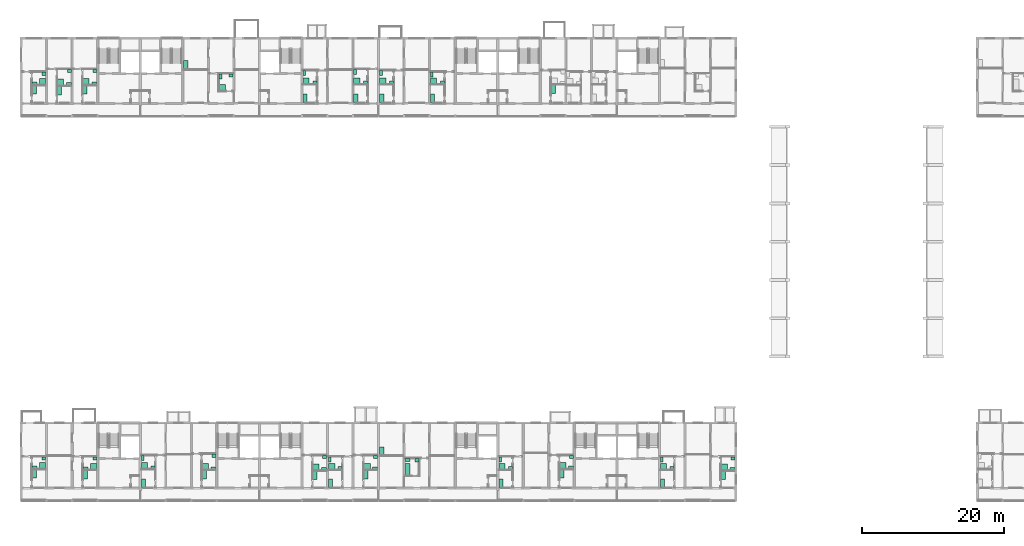
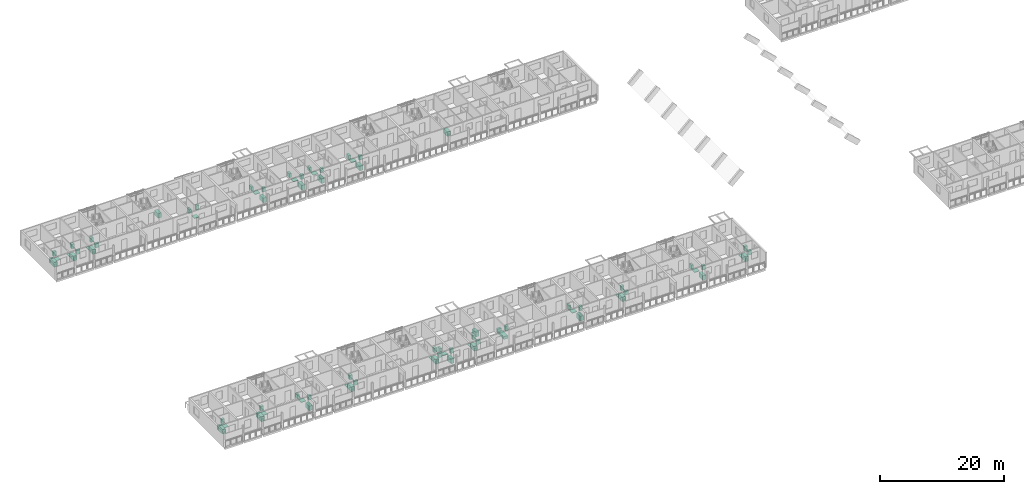
# One storey, part 96 of 98: 81 sanitary terminals.
"""IFC4 building model written with IfcOpenShell, lengths in metres."""

from ifc_helpers import new_model, si_unit, direction, frame, origin, origin_2d, place, context, subcontext, project, spatial, rectangle, extrude, element, save


model = new_model("IFC4")

# Units and contexts
model_context = context("Model", 3, precision=1e-05, world=origin(), true_north=direction((0.0, 1.0)))
body_context = subcontext(model_context, "Body", "Model", "MODEL_VIEW")
ifc_project = project(units=[si_unit("LENGTHUNIT", "METRE"), si_unit("AREAUNIT", "SQUARE_METRE"), si_unit("VOLUMEUNIT", "CUBIC_METRE"), si_unit("PLANEANGLEUNIT", "RADIAN"), si_unit("MASSUNIT", "GRAM", prefix="KILO")], contexts=[model_context])

# Site, building, storey
site_placement = place(None, origin())
site = spatial("IfcSite", under=ifc_project, at=site_placement, CompositionType="ELEMENT")
building_placement = place(site_placement, origin())
building = spatial("IfcBuilding", under=site, at=building_placement, Name="Ridgestep Commons", CompositionType="ELEMENT")
storey_placement = place(building_placement, frame((0.0, 0.0, 12.0)))
storey = spatial("IfcBuildingStorey", under=building, at=storey_placement, Name="L04", CompositionType="ELEMENT", Elevation=12.0)

# Sanitary terminals
sanitary_terminal_1_placement = place(storey_placement, frame((15.02490234375, 16.81005859375, 0.0), z_axis=(0.0, 0.0, 1.0), x_axis=(1.0, 0.0, 0.0)))
element("IfcSanitaryTerminal", 1, at=sanitary_terminal_1_placement, inside=storey, Name="Shower tray A1-04a", PredefinedType="SHOWER", context=body_context, shape_type="SweptSolid", body=[
    extrude(rectangle(XDim=0.89990234375, YDim=0.89990234375, at=origin_2d()), origin(), (0.0, 0.0, 1.0), 0.10009765625),
])
sanitary_terminal_2_placement = place(storey_placement, frame((13.909912109375, 16.56005859375, 0.0), z_axis=(0.0, 0.0, 1.0), x_axis=(1.0, 0.0, 0.0)))
element("IfcSanitaryTerminal", 2, at=sanitary_terminal_2_placement, inside=storey, Name="WC A1-04a", PredefinedType="TOILETPAN", context=body_context, shape_type="SweptSolid", body=[
    extrude(rectangle(XDim=0.699951171875, YDim=0.39990234375, at=origin_2d()), origin(), (0.0, 0.0, 1.0), 0.800048828125),
])
sanitary_terminal_3_placement = place(storey_placement, frame((15.199951171875, 17.824951171875, 0.0), z_axis=(0.0, 0.0, 1.0), x_axis=(1.0, 0.0, 0.0)))
element("IfcSanitaryTerminal", 3, at=sanitary_terminal_3_placement, inside=storey, Name="Basin A1-04a", PredefinedType="WASHHANDBASIN", context=body_context, shape_type="SweptSolid", body=[
    extrude(rectangle(XDim=0.550048828125, YDim=0.449951171875, at=origin_2d()), origin(), (0.0, 0.0, 1.0), 0.85009765625),
])
sanitary_terminal_4_placement = place(storey_placement, frame((13.860107421875, 15.64990234375, 0.0), z_axis=(0.0, 0.0, 1.0), x_axis=(1.0, 0.0, 0.0)))
element("IfcSanitaryTerminal", 4, at=sanitary_terminal_4_placement, inside=storey, Name="Kitchen sink A1-04a", PredefinedType="SINK", context=body_context, shape_type="SweptSolid", body=[
    extrude(rectangle(XDim=0.60009765625, YDim=1.199951171875, at=origin_2d()), origin(), (0.0, 0.0, 1.0), 0.89990234375),
])
sanitary_terminal_5_placement = place(storey_placement, frame((22.22509765625, 16.7099609375, 0.0), z_axis=(0.0, 0.0, 1.0), x_axis=(1.0, 0.0, 0.0)))
element("IfcSanitaryTerminal", 5, at=sanitary_terminal_5_placement, inside=storey, Name="Shower tray A1-04b", PredefinedType="SHOWER", context=body_context, shape_type="SweptSolid", body=[
    extrude(rectangle(XDim=0.89990234375, YDim=0.89990234375, at=origin_2d()), origin(), (0.0, 0.0, 1.0), 0.10009765625),
])
sanitary_terminal_6_placement = place(storey_placement, frame((21.0849609375, 16.4599609375, 0.0), z_axis=(0.0, 0.0, 1.0), x_axis=(1.0, 0.0, 0.0)))
element("IfcSanitaryTerminal", 6, at=sanitary_terminal_6_placement, inside=storey, Name="WC A1-04b", PredefinedType="TOILETPAN", context=body_context, shape_type="SweptSolid", body=[
    extrude(rectangle(XDim=0.699951171875, YDim=0.39990234375, at=origin_2d()), origin(), (0.0, 0.0, 1.0), 0.800048828125),
])
sanitary_terminal_7_placement = place(storey_placement, frame((22.39990234375, 17.824951171875, 0.0), z_axis=(0.0, 0.0, 1.0), x_axis=(1.0, 0.0, 0.0)))
element("IfcSanitaryTerminal", 7, at=sanitary_terminal_7_placement, inside=storey, Name="Basin A1-04b", PredefinedType="WASHHANDBASIN", context=body_context, shape_type="SweptSolid", body=[
    extrude(rectangle(XDim=0.550048828125, YDim=0.449951171875, at=origin_2d()), origin(), (0.0, 0.0, 1.0), 0.85009765625),
])
sanitary_terminal_8_placement = place(storey_placement, frame((21.034912109375, 15.550048828125, 0.0), z_axis=(0.0, 0.0, 1.0), x_axis=(1.0, 0.0, 0.0)))
element("IfcSanitaryTerminal", 8, at=sanitary_terminal_8_placement, inside=storey, Name="Kitchen sink A1-04b", PredefinedType="SINK", context=body_context, shape_type="SweptSolid", body=[
    extrude(rectangle(XDim=0.60009765625, YDim=1.199951171875, at=origin_2d()), origin(), (0.0, 0.0, 1.0), 0.89990234375),
])
sanitary_terminal_9_placement = place(storey_placement, frame((29.39990234375, 16.81005859375, 0.0), z_axis=(0.0, 0.0, 1.0), x_axis=(1.0, 0.0, 0.0)))
element("IfcSanitaryTerminal", 9, at=sanitary_terminal_9_placement, inside=storey, Name="Shower tray A2-04a", PredefinedType="SHOWER", context=body_context, shape_type="SweptSolid", body=[
    extrude(rectangle(XDim=0.89990234375, YDim=0.89990234375, at=origin_2d()), origin(), (0.0, 0.0, 1.0), 0.10009765625),
])
sanitary_terminal_10_placement = place(storey_placement, frame((29.14990234375, 17.89990234375, 0.0), z_axis=(0.0, 0.0, 1.0), x_axis=(1.0, 0.0, 0.0)))
element("IfcSanitaryTerminal", 10, at=sanitary_terminal_10_placement, inside=storey, Name="WC A2-04a", PredefinedType="TOILETPAN", context=body_context, shape_type="SweptSolid", body=[
    extrude(rectangle(XDim=0.39990234375, YDim=0.699951171875, at=origin_2d()), origin(), (0.0, 0.0, 1.0), 0.800048828125),
])
sanitary_terminal_11_placement = place(storey_placement, frame((30.614990234375, 16.5849609375, 0.0), z_axis=(0.0, 0.0, 1.0), x_axis=(1.0, 0.0, 0.0)))
element("IfcSanitaryTerminal", 11, at=sanitary_terminal_11_placement, inside=storey, Name="Basin A2-04a", PredefinedType="WASHHANDBASIN", context=body_context, shape_type="SweptSolid", body=[
    extrude(rectangle(XDim=0.550048828125, YDim=0.449951171875, at=origin_2d()), origin(), (0.0, 0.0, 1.0), 0.85009765625),
])
sanitary_terminal_12_placement = place(storey_placement, frame((29.25, 14.35009765625, 0.0), z_axis=(0.0, 0.0, 1.0), x_axis=(1.0, 0.0, 0.0)))
element("IfcSanitaryTerminal", 12, at=sanitary_terminal_12_placement, inside=storey, Name="Kitchen sink A2-04a", PredefinedType="SINK", context=body_context, shape_type="SweptSolid", body=[
    extrude(rectangle(XDim=0.60009765625, YDim=1.199951171875, at=origin_2d()), origin(), (0.0, 0.0, 1.0), 0.89990234375),
])
sanitary_terminal_13_placement = place(storey_placement, frame((37.9599609375, 16.7099609375, 0.0), z_axis=(0.0, 0.0, 1.0), x_axis=(1.0, 0.0, 0.0)))
element("IfcSanitaryTerminal", 13, at=sanitary_terminal_13_placement, inside=storey, Name="Shower tray A2-04b", PredefinedType="SHOWER", context=body_context, shape_type="SweptSolid", body=[
    extrude(rectangle(XDim=0.89990234375, YDim=0.89990234375, at=origin_2d()), origin(), (0.0, 0.0, 1.0), 0.10009765625),
])
sanitary_terminal_14_placement = place(storey_placement, frame((39.125, 16.4599609375, 0.0), z_axis=(0.0, 0.0, 1.0), x_axis=(1.0, 0.0, 0.0)))
element("IfcSanitaryTerminal", 14, at=sanitary_terminal_14_placement, inside=storey, Name="WC A2-04b", PredefinedType="TOILETPAN", context=body_context, shape_type="SweptSolid", body=[
    extrude(rectangle(XDim=0.699951171875, YDim=0.39990234375, at=origin_2d()), origin(), (0.0, 0.0, 1.0), 0.800048828125),
])
sanitary_terminal_15_placement = place(storey_placement, frame((39.199951171875, 18.22509765625, 0.0), z_axis=(0.0, 0.0, 1.0), x_axis=(1.0, 0.0, 0.0)))
element("IfcSanitaryTerminal", 15, at=sanitary_terminal_15_placement, inside=storey, Name="Basin A2-04b", PredefinedType="WASHHANDBASIN", context=body_context, shape_type="SweptSolid", body=[
    extrude(rectangle(XDim=0.550048828125, YDim=0.449951171875, at=origin_2d()), origin(), (0.0, 0.0, 1.0), 0.85009765625),
])
sanitary_terminal_16_placement = place(storey_placement, frame((37.81005859375, 15.550048828125, 0.0), z_axis=(0.0, 0.0, 1.0), x_axis=(1.0, 0.0, 0.0)))
element("IfcSanitaryTerminal", 16, at=sanitary_terminal_16_placement, inside=storey, Name="Kitchen sink A2-04b", PredefinedType="SINK", context=body_context, shape_type="SweptSolid", body=[
    extrude(rectangle(XDim=0.60009765625, YDim=1.199951171875, at=origin_2d()), origin(), (0.0, 0.0, 1.0), 0.89990234375),
])
sanitary_terminal_17_placement = place(storey_placement, frame((60.784912109375, 16.7099609375, 0.0), z_axis=(0.0, 0.0, 1.0), x_axis=(1.0, 0.0, 0.0)))
element("IfcSanitaryTerminal", 17, at=sanitary_terminal_17_placement, inside=storey, Name="Shower tray A3-04a", PredefinedType="SHOWER", context=body_context, shape_type="SweptSolid", body=[
    extrude(rectangle(XDim=0.89990234375, YDim=0.89990234375, at=origin_2d()), origin(), (0.0, 0.0, 1.0), 0.10009765625),
])
sanitary_terminal_18_placement = place(storey_placement, frame((61.89990234375, 16.4599609375, 0.0), z_axis=(0.0, 0.0, 1.0), x_axis=(1.0, 0.0, 0.0)))
element("IfcSanitaryTerminal", 18, at=sanitary_terminal_18_placement, inside=storey, Name="WC A3-04a", PredefinedType="TOILETPAN", context=body_context, shape_type="SweptSolid", body=[
    extrude(rectangle(XDim=0.699951171875, YDim=0.39990234375, at=origin_2d()), origin(), (0.0, 0.0, 1.0), 0.800048828125),
])
sanitary_terminal_19_placement = place(storey_placement, frame((61.97509765625, 18.02490234375, 0.0), z_axis=(0.0, 0.0, 1.0), x_axis=(1.0, 0.0, 0.0)))
element("IfcSanitaryTerminal", 19, at=sanitary_terminal_19_placement, inside=storey, Name="Basin A3-04a", PredefinedType="WASHHANDBASIN", context=body_context, shape_type="SweptSolid", body=[
    extrude(rectangle(XDim=0.550048828125, YDim=0.449951171875, at=origin_2d()), origin(), (0.0, 0.0, 1.0), 0.85009765625),
])
sanitary_terminal_20_placement = place(storey_placement, frame((60.635009765625, 15.550048828125, 0.0), z_axis=(0.0, 0.0, 1.0), x_axis=(1.0, 0.0, 0.0)))
element("IfcSanitaryTerminal", 20, at=sanitary_terminal_20_placement, inside=storey, Name="Kitchen sink A3-04a", PredefinedType="SINK", context=body_context, shape_type="SweptSolid", body=[
    extrude(rectangle(XDim=0.60009765625, YDim=1.199951171875, at=origin_2d()), origin(), (0.0, 0.0, 1.0), 0.89990234375),
])
sanitary_terminal_21_placement = place(storey_placement, frame((55.77490234375, 16.7099609375, 0.0), z_axis=(0.0, 0.0, 1.0), x_axis=(1.0, 0.0, 0.0)))
element("IfcSanitaryTerminal", 21, at=sanitary_terminal_21_placement, inside=storey, Name="Shower tray A3-04b", PredefinedType="SHOWER", context=body_context, shape_type="SweptSolid", body=[
    extrude(rectangle(XDim=0.89990234375, YDim=0.89990234375, at=origin_2d()), origin(), (0.0, 0.0, 1.0), 0.10009765625),
])
sanitary_terminal_22_placement = place(storey_placement, frame((55.52490234375, 17.699951171875, 0.0), z_axis=(0.0, 0.0, 1.0), x_axis=(1.0, 0.0, 0.0)))
element("IfcSanitaryTerminal", 22, at=sanitary_terminal_22_placement, inside=storey, Name="WC A3-04b", PredefinedType="TOILETPAN", context=body_context, shape_type="SweptSolid", body=[
    extrude(rectangle(XDim=0.39990234375, YDim=0.699951171875, at=origin_2d()), origin(), (0.0, 0.0, 1.0), 0.800048828125),
])
sanitary_terminal_23_placement = place(storey_placement, frame((56.989990234375, 16.485107421875, 0.0), z_axis=(0.0, 0.0, 1.0), x_axis=(1.0, 0.0, 0.0)))
element("IfcSanitaryTerminal", 23, at=sanitary_terminal_23_placement, inside=storey, Name="Basin A3-04b", PredefinedType="WASHHANDBASIN", context=body_context, shape_type="SweptSolid", body=[
    extrude(rectangle(XDim=0.550048828125, YDim=0.449951171875, at=origin_2d()), origin(), (0.0, 0.0, 1.0), 0.85009765625),
])
sanitary_terminal_24_placement = place(storey_placement, frame((55.625, 14.35009765625, 0.0), z_axis=(0.0, 0.0, 1.0), x_axis=(1.0, 0.0, 0.0)))
element("IfcSanitaryTerminal", 24, at=sanitary_terminal_24_placement, inside=storey, Name="Kitchen sink A3-04b", PredefinedType="SINK", context=body_context, shape_type="SweptSolid", body=[
    extrude(rectangle(XDim=0.60009765625, YDim=1.199951171875, at=origin_2d()), origin(), (0.0, 0.0, 1.0), 0.89990234375),
])
sanitary_terminal_25_placement = place(storey_placement, frame((53.5849609375, 16.610107421875, 0.0), z_axis=(0.0, 0.0, 1.0), x_axis=(1.0, 0.0, 0.0)))
element("IfcSanitaryTerminal", 25, at=sanitary_terminal_25_placement, inside=storey, Name="Shower tray A3-04c", PredefinedType="SHOWER", context=body_context, shape_type="SweptSolid", body=[
    extrude(rectangle(XDim=0.89990234375, YDim=0.89990234375, at=origin_2d()), origin(), (0.0, 0.0, 1.0), 0.10009765625),
])
sanitary_terminal_26_placement = place(storey_placement, frame((54.72509765625, 16.360107421875, 0.0), z_axis=(0.0, 0.0, 1.0), x_axis=(1.0, 0.0, 0.0)))
element("IfcSanitaryTerminal", 26, at=sanitary_terminal_26_placement, inside=storey, Name="WC A3-04c", PredefinedType="TOILETPAN", context=body_context, shape_type="SweptSolid", body=[
    extrude(rectangle(XDim=0.699951171875, YDim=0.39990234375, at=origin_2d()), origin(), (0.0, 0.0, 1.0), 0.800048828125),
])
sanitary_terminal_27_placement = place(storey_placement, frame((54.800048828125, 18.02490234375, 0.0), z_axis=(0.0, 0.0, 1.0), x_axis=(1.0, 0.0, 0.0)))
element("IfcSanitaryTerminal", 27, at=sanitary_terminal_27_placement, inside=storey, Name="Basin A3-04c", PredefinedType="WASHHANDBASIN", context=body_context, shape_type="SweptSolid", body=[
    extrude(rectangle(XDim=0.550048828125, YDim=0.449951171875, at=origin_2d()), origin(), (0.0, 0.0, 1.0), 0.85009765625),
])
sanitary_terminal_28_placement = place(storey_placement, frame((53.43505859375, 15.449951171875, 0.0), z_axis=(0.0, 0.0, 1.0), x_axis=(1.0, 0.0, 0.0)))
element("IfcSanitaryTerminal", 28, at=sanitary_terminal_28_placement, inside=storey, Name="Kitchen sink A3-04c", PredefinedType="SINK", context=body_context, shape_type="SweptSolid", body=[
    extrude(rectangle(XDim=0.60009765625, YDim=1.199951171875, at=origin_2d()), origin(), (0.0, 0.0, 1.0), 0.89990234375),
])
sanitary_terminal_29_placement = place(storey_placement, frame((66.47509765625, 16.260009765625, 0.0), z_axis=(0.0, 0.0, 1.0), x_axis=(1.0, 0.0, 0.0)))
element("IfcSanitaryTerminal", 29, at=sanitary_terminal_29_placement, inside=storey, Name="Bath A4-04a", PredefinedType="BATH", context=body_context, shape_type="SweptSolid", body=[
    extrude(rectangle(XDim=0.75, YDim=1.699951171875, at=origin_2d()), origin(), (0.0, 0.0, 1.0), 0.550048828125),
])
sanitary_terminal_30_placement = place(storey_placement, frame((66.449951171875, 17.610107421875, 0.0), z_axis=(0.0, 0.0, 1.0), x_axis=(1.0, 0.0, 0.0)))
element("IfcSanitaryTerminal", 30, at=sanitary_terminal_30_placement, inside=storey, Name="WC A4-04a", PredefinedType="TOILETPAN", context=body_context, shape_type="SweptSolid", body=[
    extrude(rectangle(XDim=0.699951171875, YDim=0.39990234375, at=origin_2d()), origin(), (0.0, 0.0, 1.0), 0.800048828125),
])
sanitary_terminal_31_placement = place(storey_placement, frame((67.81494140625, 17.5849609375, 0.0), z_axis=(0.0, 0.0, 1.0), x_axis=(1.0, 0.0, 0.0)))
element("IfcSanitaryTerminal", 31, at=sanitary_terminal_31_placement, inside=storey, Name="Basin A4-04a", PredefinedType="WASHHANDBASIN", context=body_context, shape_type="SweptSolid", body=[
    extrude(rectangle(XDim=0.550048828125, YDim=0.449951171875, at=origin_2d()), origin(), (0.0, 0.0, 1.0), 0.85009765625),
])
sanitary_terminal_32_placement = place(storey_placement, frame((62.85009765625, 18.860107421875, 0.0), z_axis=(0.0, 0.0, 1.0), x_axis=(1.0, 0.0, 0.0)))
element("IfcSanitaryTerminal", 32, at=sanitary_terminal_32_placement, inside=storey, Name="Kitchen sink A4-04a", PredefinedType="SINK", context=body_context, shape_type="SweptSolid", body=[
    extrude(rectangle(XDim=0.60009765625, YDim=1.199951171875, at=origin_2d()), origin(), (0.0, 0.0, 1.0), 0.89990234375),
])
sanitary_terminal_33_placement = place(storey_placement, frame((79.800048828125, 16.7099609375, 0.0), z_axis=(0.0, 0.0, 1.0), x_axis=(1.0, 0.0, 0.0)))
element("IfcSanitaryTerminal", 33, at=sanitary_terminal_33_placement, inside=storey, Name="Shower tray A5-04a", PredefinedType="SHOWER", context=body_context, shape_type="SweptSolid", body=[
    extrude(rectangle(XDim=0.89990234375, YDim=0.89990234375, at=origin_2d()), origin(), (0.0, 0.0, 1.0), 0.10009765625),
])
sanitary_terminal_34_placement = place(storey_placement, frame((79.550048828125, 17.699951171875, 0.0), z_axis=(0.0, 0.0, 1.0), x_axis=(1.0, 0.0, 0.0)))
element("IfcSanitaryTerminal", 34, at=sanitary_terminal_34_placement, inside=storey, Name="WC A5-04a", PredefinedType="TOILETPAN", context=body_context, shape_type="SweptSolid", body=[
    extrude(rectangle(XDim=0.39990234375, YDim=0.699951171875, at=origin_2d()), origin(), (0.0, 0.0, 1.0), 0.800048828125),
])
sanitary_terminal_35_placement = place(storey_placement, frame((80.989990234375, 16.485107421875, 0.0), z_axis=(0.0, 0.0, 1.0), x_axis=(1.0, 0.0, 0.0)))
element("IfcSanitaryTerminal", 35, at=sanitary_terminal_35_placement, inside=storey, Name="Basin A5-04a", PredefinedType="WASHHANDBASIN", context=body_context, shape_type="SweptSolid", body=[
    extrude(rectangle(XDim=0.550048828125, YDim=0.449951171875, at=origin_2d()), origin(), (0.0, 0.0, 1.0), 0.85009765625),
])
sanitary_terminal_36_placement = place(storey_placement, frame((79.64990234375, 14.35009765625, 0.0), z_axis=(0.0, 0.0, 1.0), x_axis=(1.0, 0.0, 0.0)))
element("IfcSanitaryTerminal", 36, at=sanitary_terminal_36_placement, inside=storey, Name="Kitchen sink A5-04a", PredefinedType="SINK", context=body_context, shape_type="SweptSolid", body=[
    extrude(rectangle(XDim=0.60009765625, YDim=1.199951171875, at=origin_2d()), origin(), (0.0, 0.0, 1.0), 0.89990234375),
])
sanitary_terminal_37_placement = place(storey_placement, frame((88.385009765625, 16.81005859375, 0.0), z_axis=(0.0, 0.0, 1.0), x_axis=(1.0, 0.0, 0.0)))
element("IfcSanitaryTerminal", 37, at=sanitary_terminal_37_placement, inside=storey, Name="Shower tray A5-04b", PredefinedType="SHOWER", context=body_context, shape_type="SweptSolid", body=[
    extrude(rectangle(XDim=0.89990234375, YDim=0.89990234375, at=origin_2d()), origin(), (0.0, 0.0, 1.0), 0.10009765625),
])
sanitary_terminal_38_placement = place(storey_placement, frame((89.52490234375, 16.56005859375, 0.0), z_axis=(0.0, 0.0, 1.0), x_axis=(1.0, 0.0, 0.0)))
element("IfcSanitaryTerminal", 38, at=sanitary_terminal_38_placement, inside=storey, Name="WC A5-04b", PredefinedType="TOILETPAN", context=body_context, shape_type="SweptSolid", body=[
    extrude(rectangle(XDim=0.699951171875, YDim=0.39990234375, at=origin_2d()), origin(), (0.0, 0.0, 1.0), 0.800048828125),
])
sanitary_terminal_39_placement = place(storey_placement, frame((89.60009765625, 18.02490234375, 0.0), z_axis=(0.0, 0.0, 1.0), x_axis=(1.0, 0.0, 0.0)))
element("IfcSanitaryTerminal", 39, at=sanitary_terminal_39_placement, inside=storey, Name="Basin A5-04b", PredefinedType="WASHHANDBASIN", context=body_context, shape_type="SweptSolid", body=[
    extrude(rectangle(XDim=0.550048828125, YDim=0.449951171875, at=origin_2d()), origin(), (0.0, 0.0, 1.0), 0.85009765625),
])
sanitary_terminal_40_placement = place(storey_placement, frame((88.235107421875, 15.64990234375, 0.0), z_axis=(0.0, 0.0, 1.0), x_axis=(1.0, 0.0, 0.0)))
element("IfcSanitaryTerminal", 40, at=sanitary_terminal_40_placement, inside=storey, Name="Kitchen sink A5-04b", PredefinedType="SINK", context=body_context, shape_type="SweptSolid", body=[
    extrude(rectangle(XDim=0.60009765625, YDim=1.199951171875, at=origin_2d()), origin(), (0.0, 0.0, 1.0), 0.89990234375),
])
sanitary_terminal_41_placement = place(storey_placement, frame((111.159912109375, 16.610107421875, 0.0), z_axis=(0.0, 0.0, 1.0), x_axis=(1.0, 0.0, 0.0)))
element("IfcSanitaryTerminal", 41, at=sanitary_terminal_41_placement, inside=storey, Name="Shower tray A6-04a", PredefinedType="SHOWER", context=body_context, shape_type="SweptSolid", body=[
    extrude(rectangle(XDim=0.89990234375, YDim=0.89990234375, at=origin_2d()), origin(), (0.0, 0.0, 1.0), 0.10009765625),
])
sanitary_terminal_42_placement = place(storey_placement, frame((112.300048828125, 16.360107421875, 0.0), z_axis=(0.0, 0.0, 1.0), x_axis=(1.0, 0.0, 0.0)))
element("IfcSanitaryTerminal", 42, at=sanitary_terminal_42_placement, inside=storey, Name="WC A6-04a", PredefinedType="TOILETPAN", context=body_context, shape_type="SweptSolid", body=[
    extrude(rectangle(XDim=0.699951171875, YDim=0.39990234375, at=origin_2d()), origin(), (0.0, 0.0, 1.0), 0.800048828125),
])
sanitary_terminal_43_placement = place(storey_placement, frame((112.375, 17.824951171875, 0.0), z_axis=(0.0, 0.0, 1.0), x_axis=(1.0, 0.0, 0.0)))
element("IfcSanitaryTerminal", 43, at=sanitary_terminal_43_placement, inside=storey, Name="Basin A6-04a", PredefinedType="WASHHANDBASIN", context=body_context, shape_type="SweptSolid", body=[
    extrude(rectangle(XDim=0.550048828125, YDim=0.449951171875, at=origin_2d()), origin(), (0.0, 0.0, 1.0), 0.85009765625),
])
sanitary_terminal_44_placement = place(storey_placement, frame((111.010009765625, 15.449951171875, 0.0), z_axis=(0.0, 0.0, 1.0), x_axis=(1.0, 0.0, 0.0)))
element("IfcSanitaryTerminal", 44, at=sanitary_terminal_44_placement, inside=storey, Name="Kitchen sink A6-04a", PredefinedType="SINK", context=body_context, shape_type="SweptSolid", body=[
    extrude(rectangle(XDim=0.60009765625, YDim=1.199951171875, at=origin_2d()), origin(), (0.0, 0.0, 1.0), 0.89990234375),
])
sanitary_terminal_45_placement = place(storey_placement, frame((102.574951171875, 16.7099609375, 0.0), z_axis=(0.0, 0.0, 1.0), x_axis=(1.0, 0.0, 0.0)))
element("IfcSanitaryTerminal", 45, at=sanitary_terminal_45_placement, inside=storey, Name="Shower tray A6-04b", PredefinedType="SHOWER", context=body_context, shape_type="SweptSolid", body=[
    extrude(rectangle(XDim=0.89990234375, YDim=0.89990234375, at=origin_2d()), origin(), (0.0, 0.0, 1.0), 0.10009765625),
])
sanitary_terminal_46_placement = place(storey_placement, frame((102.324951171875, 17.699951171875, 0.0), z_axis=(0.0, 0.0, 1.0), x_axis=(1.0, 0.0, 0.0)))
element("IfcSanitaryTerminal", 46, at=sanitary_terminal_46_placement, inside=storey, Name="WC A6-04b", PredefinedType="TOILETPAN", context=body_context, shape_type="SweptSolid", body=[
    extrude(rectangle(XDim=0.39990234375, YDim=0.699951171875, at=origin_2d()), origin(), (0.0, 0.0, 1.0), 0.800048828125),
])
sanitary_terminal_47_placement = place(storey_placement, frame((103.7900390625, 16.485107421875, 0.0), z_axis=(0.0, 0.0, 1.0), x_axis=(1.0, 0.0, 0.0)))
element("IfcSanitaryTerminal", 47, at=sanitary_terminal_47_placement, inside=storey, Name="Basin A6-04b", PredefinedType="WASHHANDBASIN", context=body_context, shape_type="SweptSolid", body=[
    extrude(rectangle(XDim=0.550048828125, YDim=0.449951171875, at=origin_2d()), origin(), (0.0, 0.0, 1.0), 0.85009765625),
])
sanitary_terminal_48_placement = place(storey_placement, frame((102.425048828125, 14.35009765625, 0.0), z_axis=(0.0, 0.0, 1.0), x_axis=(1.0, 0.0, 0.0)))
element("IfcSanitaryTerminal", 48, at=sanitary_terminal_48_placement, inside=storey, Name="Kitchen sink A6-04b", PredefinedType="SINK", context=body_context, shape_type="SweptSolid", body=[
    extrude(rectangle(XDim=0.60009765625, YDim=1.199951171875, at=origin_2d()), origin(), (0.0, 0.0, 1.0), 0.89990234375),
])
sanitary_terminal_49_placement = place(storey_placement, frame((15.050048828125, 70.9599609375, 0.0), z_axis=(0.0, 0.0, 1.0), x_axis=(1.0, 0.0, 0.0)))
element("IfcSanitaryTerminal", 49, at=sanitary_terminal_49_placement, inside=storey, Name="Shower tray B1-04a", PredefinedType="SHOWER", context=body_context, shape_type="SweptSolid", body=[
    extrude(rectangle(XDim=0.89990234375, YDim=0.89990234375, at=origin_2d()), origin(), (0.0, 0.0, 1.0), 0.10009765625),
])
sanitary_terminal_50_placement = place(storey_placement, frame((13.909912109375, 70.7099609375, 0.0), z_axis=(0.0, 0.0, 1.0), x_axis=(1.0, 0.0, 0.0)))
element("IfcSanitaryTerminal", 50, at=sanitary_terminal_50_placement, inside=storey, Name="WC B1-04a", PredefinedType="TOILETPAN", context=body_context, shape_type="SweptSolid", body=[
    extrude(rectangle(XDim=0.699951171875, YDim=0.39990234375, at=origin_2d()), origin(), (0.0, 0.0, 1.0), 0.800048828125),
])
sanitary_terminal_51_placement = place(storey_placement, frame((15.22509765625, 72.074951171875, 0.0), z_axis=(0.0, 0.0, 1.0), x_axis=(1.0, 0.0, 0.0)))
element("IfcSanitaryTerminal", 51, at=sanitary_terminal_51_placement, inside=storey, Name="Basin B1-04a", PredefinedType="WASHHANDBASIN", context=body_context, shape_type="SweptSolid", body=[
    extrude(rectangle(XDim=0.550048828125, YDim=0.449951171875, at=origin_2d()), origin(), (0.0, 0.0, 1.0), 0.85009765625),
])
sanitary_terminal_52_placement = place(storey_placement, frame((13.860107421875, 69.800048828125, 0.0), z_axis=(0.0, 0.0, 1.0), x_axis=(1.0, 0.0, 0.0)))
element("IfcSanitaryTerminal", 52, at=sanitary_terminal_52_placement, inside=storey, Name="Kitchen sink B1-04a", PredefinedType="SINK", context=body_context, shape_type="SweptSolid", body=[
    extrude(rectangle(XDim=0.60009765625, YDim=1.199951171875, at=origin_2d()), origin(), (0.0, 0.0, 1.0), 0.89990234375),
])
sanitary_terminal_53_placement = place(storey_placement, frame((17.56005859375, 70.860107421875, 0.0), z_axis=(0.0, 0.0, 1.0), x_axis=(1.0, 0.0, 0.0)))
element("IfcSanitaryTerminal", 53, at=sanitary_terminal_53_placement, inside=storey, Name="Shower tray B1-04b", PredefinedType="SHOWER", context=body_context, shape_type="SweptSolid", body=[
    extrude(rectangle(XDim=0.89990234375, YDim=0.89990234375, at=origin_2d()), origin(), (0.0, 0.0, 1.0), 0.10009765625),
])
sanitary_terminal_54_placement = place(storey_placement, frame((18.75, 70.610107421875, 0.0), z_axis=(0.0, 0.0, 1.0), x_axis=(1.0, 0.0, 0.0)))
element("IfcSanitaryTerminal", 54, at=sanitary_terminal_54_placement, inside=storey, Name="WC B1-04b", PredefinedType="TOILETPAN", context=body_context, shape_type="SweptSolid", body=[
    extrude(rectangle(XDim=0.699951171875, YDim=0.39990234375, at=origin_2d()), origin(), (0.0, 0.0, 1.0), 0.800048828125),
])
sanitary_terminal_55_placement = place(storey_placement, frame((18.824951171875, 72.47509765625, 0.0), z_axis=(0.0, 0.0, 1.0), x_axis=(1.0, 0.0, 0.0)))
element("IfcSanitaryTerminal", 55, at=sanitary_terminal_55_placement, inside=storey, Name="Basin B1-04b", PredefinedType="WASHHANDBASIN", context=body_context, shape_type="SweptSolid", body=[
    extrude(rectangle(XDim=0.550048828125, YDim=0.449951171875, at=origin_2d()), origin(), (0.0, 0.0, 1.0), 0.85009765625),
])
sanitary_terminal_56_placement = place(storey_placement, frame((17.409912109375, 69.699951171875, 0.0), z_axis=(0.0, 0.0, 1.0), x_axis=(1.0, 0.0, 0.0)))
element("IfcSanitaryTerminal", 56, at=sanitary_terminal_56_placement, inside=storey, Name="Kitchen sink B1-04b", PredefinedType="SINK", context=body_context, shape_type="SweptSolid", body=[
    extrude(rectangle(XDim=0.60009765625, YDim=1.199951171875, at=origin_2d()), origin(), (0.0, 0.0, 1.0), 0.89990234375),
])
sanitary_terminal_57_placement = place(storey_placement, frame((21.159912109375, 70.9599609375, 0.0), z_axis=(0.0, 0.0, 1.0), x_axis=(1.0, 0.0, 0.0)))
element("IfcSanitaryTerminal", 57, at=sanitary_terminal_57_placement, inside=storey, Name="Shower tray B1-04c", PredefinedType="SHOWER", context=body_context, shape_type="SweptSolid", body=[
    extrude(rectangle(XDim=0.89990234375, YDim=0.89990234375, at=origin_2d()), origin(), (0.0, 0.0, 1.0), 0.10009765625),
])
sanitary_terminal_58_placement = place(storey_placement, frame((22.324951171875, 70.7099609375, 0.0), z_axis=(0.0, 0.0, 1.0), x_axis=(1.0, 0.0, 0.0)))
element("IfcSanitaryTerminal", 58, at=sanitary_terminal_58_placement, inside=storey, Name="WC B1-04c", PredefinedType="TOILETPAN", context=body_context, shape_type="SweptSolid", body=[
    extrude(rectangle(XDim=0.699951171875, YDim=0.39990234375, at=origin_2d()), origin(), (0.0, 0.0, 1.0), 0.800048828125),
])
sanitary_terminal_59_placement = place(storey_placement, frame((22.39990234375, 72.47509765625, 0.0), z_axis=(0.0, 0.0, 1.0), x_axis=(1.0, 0.0, 0.0)))
element("IfcSanitaryTerminal", 59, at=sanitary_terminal_59_placement, inside=storey, Name="Basin B1-04c", PredefinedType="WASHHANDBASIN", context=body_context, shape_type="SweptSolid", body=[
    extrude(rectangle(XDim=0.550048828125, YDim=0.449951171875, at=origin_2d()), origin(), (0.0, 0.0, 1.0), 0.85009765625),
])
sanitary_terminal_60_placement = place(storey_placement, frame((21.010009765625, 69.800048828125, 0.0), z_axis=(0.0, 0.0, 1.0), x_axis=(1.0, 0.0, 0.0)))
element("IfcSanitaryTerminal", 60, at=sanitary_terminal_60_placement, inside=storey, Name="Kitchen sink B1-04c", PredefinedType="SINK", context=body_context, shape_type="SweptSolid", body=[
    extrude(rectangle(XDim=0.60009765625, YDim=1.199951171875, at=origin_2d()), origin(), (0.0, 0.0, 1.0), 0.89990234375),
])
sanitary_terminal_61_placement = place(storey_placement, frame((40.360107421875, 70.110107421875, 0.0), z_axis=(0.0, 0.0, 1.0), x_axis=(1.0, 0.0, 0.0)))
element("IfcSanitaryTerminal", 61, at=sanitary_terminal_61_placement, inside=storey, Name="Shower tray B2-04a", PredefinedType="SHOWER", context=body_context, shape_type="SweptSolid", body=[
    extrude(rectangle(XDim=0.89990234375, YDim=0.89990234375, at=origin_2d()), origin(), (0.0, 0.0, 1.0), 0.10009765625),
])
sanitary_terminal_62_placement = place(storey_placement, frame((40.110107421875, 71.7099609375, 0.0), z_axis=(0.0, 0.0, 1.0), x_axis=(1.0, 0.0, 0.0)))
element("IfcSanitaryTerminal", 62, at=sanitary_terminal_62_placement, inside=storey, Name="WC B2-04a", PredefinedType="TOILETPAN", context=body_context, shape_type="SweptSolid", body=[
    extrude(rectangle(XDim=0.39990234375, YDim=0.699951171875, at=origin_2d()), origin(), (0.0, 0.0, 1.0), 0.800048828125),
])
sanitary_terminal_63_placement = place(storey_placement, frame((41.625, 71.8349609375, 0.0), z_axis=(0.0, 0.0, 1.0), x_axis=(1.0, 0.0, 0.0)))
element("IfcSanitaryTerminal", 63, at=sanitary_terminal_63_placement, inside=storey, Name="Basin B2-04a", PredefinedType="WASHHANDBASIN", context=body_context, shape_type="SweptSolid", body=[
    extrude(rectangle(XDim=0.550048828125, YDim=0.449951171875, at=origin_2d()), origin(), (0.0, 0.0, 1.0), 0.85009765625),
])
sanitary_terminal_64_placement = place(storey_placement, frame((35.22509765625, 73.31005859375, 0.0), z_axis=(0.0, 0.0, 1.0), x_axis=(1.0, 0.0, 0.0)))
element("IfcSanitaryTerminal", 64, at=sanitary_terminal_64_placement, inside=storey, Name="Kitchen sink B2-04a", PredefinedType="SINK", context=body_context, shape_type="SweptSolid", body=[
    extrude(rectangle(XDim=0.60009765625, YDim=1.199951171875, at=origin_2d()), origin(), (0.0, 0.0, 1.0), 0.89990234375),
])
sanitary_terminal_65_placement = place(storey_placement, frame((59.35009765625, 71.06005859375, 0.0), z_axis=(0.0, 0.0, 1.0), x_axis=(1.0, 0.0, 0.0)))
element("IfcSanitaryTerminal", 65, at=sanitary_terminal_65_placement, inside=storey, Name="Shower tray B3-04a", PredefinedType="SHOWER", context=body_context, shape_type="SweptSolid", body=[
    extrude(rectangle(XDim=0.89990234375, YDim=0.89990234375, at=origin_2d()), origin(), (0.0, 0.0, 1.0), 0.10009765625),
])
sanitary_terminal_66_placement = place(storey_placement, frame((59.10009765625, 72.35009765625, 0.0), z_axis=(0.0, 0.0, 1.0), x_axis=(1.0, 0.0, 0.0)))
element("IfcSanitaryTerminal", 66, at=sanitary_terminal_66_placement, inside=storey, Name="WC B3-04a", PredefinedType="TOILETPAN", context=body_context, shape_type="SweptSolid", body=[
    extrude(rectangle(XDim=0.39990234375, YDim=0.699951171875, at=origin_2d()), origin(), (0.0, 0.0, 1.0), 0.800048828125),
])
sanitary_terminal_67_placement = place(storey_placement, frame((60.56494140625, 70.8349609375, 0.0), z_axis=(0.0, 0.0, 1.0), x_axis=(1.0, 0.0, 0.0)))
element("IfcSanitaryTerminal", 67, at=sanitary_terminal_67_placement, inside=storey, Name="Basin B3-04a", PredefinedType="WASHHANDBASIN", context=body_context, shape_type="SweptSolid", body=[
    extrude(rectangle(XDim=0.550048828125, YDim=0.449951171875, at=origin_2d()), origin(), (0.0, 0.0, 1.0), 0.85009765625),
])
sanitary_terminal_68_placement = place(storey_placement, frame((59.199951171875, 68.60009765625, 0.0), z_axis=(0.0, 0.0, 1.0), x_axis=(1.0, 0.0, 0.0)))
element("IfcSanitaryTerminal", 68, at=sanitary_terminal_68_placement, inside=storey, Name="Kitchen sink B3-04a", PredefinedType="SINK", context=body_context, shape_type="SweptSolid", body=[
    extrude(rectangle(XDim=0.60009765625, YDim=1.199951171875, at=origin_2d()), origin(), (0.0, 0.0, 1.0), 0.89990234375),
])
sanitary_terminal_69_placement = place(storey_placement, frame((52.175048828125, 71.06005859375, 0.0), z_axis=(0.0, 0.0, 1.0), x_axis=(1.0, 0.0, 0.0)))
element("IfcSanitaryTerminal", 69, at=sanitary_terminal_69_placement, inside=storey, Name="Shower tray B3-04b", PredefinedType="SHOWER", context=body_context, shape_type="SweptSolid", body=[
    extrude(rectangle(XDim=0.89990234375, YDim=0.89990234375, at=origin_2d()), origin(), (0.0, 0.0, 1.0), 0.10009765625),
])
sanitary_terminal_70_placement = place(storey_placement, frame((51.925048828125, 72.14990234375, 0.0), z_axis=(0.0, 0.0, 1.0), x_axis=(1.0, 0.0, 0.0)))
element("IfcSanitaryTerminal", 70, at=sanitary_terminal_70_placement, inside=storey, Name="WC B3-04b", PredefinedType="TOILETPAN", context=body_context, shape_type="SweptSolid", body=[
    extrude(rectangle(XDim=0.39990234375, YDim=0.699951171875, at=origin_2d()), origin(), (0.0, 0.0, 1.0), 0.800048828125),
])
sanitary_terminal_71_placement = place(storey_placement, frame((53.4150390625, 70.8349609375, 0.0), z_axis=(0.0, 0.0, 1.0), x_axis=(1.0, 0.0, 0.0)))
element("IfcSanitaryTerminal", 71, at=sanitary_terminal_71_placement, inside=storey, Name="Basin B3-04b", PredefinedType="WASHHANDBASIN", context=body_context, shape_type="SweptSolid", body=[
    extrude(rectangle(XDim=0.550048828125, YDim=0.449951171875, at=origin_2d()), origin(), (0.0, 0.0, 1.0), 0.85009765625),
])
sanitary_terminal_72_placement = place(storey_placement, frame((52.02490234375, 68.60009765625, 0.0), z_axis=(0.0, 0.0, 1.0), x_axis=(1.0, 0.0, 0.0)))
element("IfcSanitaryTerminal", 72, at=sanitary_terminal_72_placement, inside=storey, Name="Kitchen sink B3-04b", PredefinedType="SINK", context=body_context, shape_type="SweptSolid", body=[
    extrude(rectangle(XDim=0.60009765625, YDim=1.199951171875, at=origin_2d()), origin(), (0.0, 0.0, 1.0), 0.89990234375),
])
sanitary_terminal_73_placement = place(storey_placement, frame((63.0, 71.06005859375, 0.0), z_axis=(0.0, 0.0, 1.0), x_axis=(1.0, 0.0, 0.0)))
element("IfcSanitaryTerminal", 73, at=sanitary_terminal_73_placement, inside=storey, Name="Shower tray B4-04a", PredefinedType="SHOWER", context=body_context, shape_type="SweptSolid", body=[
    extrude(rectangle(XDim=0.89990234375, YDim=0.89990234375, at=origin_2d()), origin(), (0.0, 0.0, 1.0), 0.10009765625),
])
sanitary_terminal_74_placement = place(storey_placement, frame((62.75, 72.14990234375, 0.0), z_axis=(0.0, 0.0, 1.0), x_axis=(1.0, 0.0, 0.0)))
element("IfcSanitaryTerminal", 74, at=sanitary_terminal_74_placement, inside=storey, Name="WC B4-04a", PredefinedType="TOILETPAN", context=body_context, shape_type="SweptSolid", body=[
    extrude(rectangle(XDim=0.39990234375, YDim=0.699951171875, at=origin_2d()), origin(), (0.0, 0.0, 1.0), 0.800048828125),
])
sanitary_terminal_75_placement = place(storey_placement, frame((64.215087890625, 70.8349609375, 0.0), z_axis=(0.0, 0.0, 1.0), x_axis=(1.0, 0.0, 0.0)))
element("IfcSanitaryTerminal", 75, at=sanitary_terminal_75_placement, inside=storey, Name="Basin B4-04a", PredefinedType="WASHHANDBASIN", context=body_context, shape_type="SweptSolid", body=[
    extrude(rectangle(XDim=0.550048828125, YDim=0.449951171875, at=origin_2d()), origin(), (0.0, 0.0, 1.0), 0.85009765625),
])
sanitary_terminal_76_placement = place(storey_placement, frame((62.85009765625, 68.60009765625, 0.0), z_axis=(0.0, 0.0, 1.0), x_axis=(1.0, 0.0, 0.0)))
element("IfcSanitaryTerminal", 76, at=sanitary_terminal_76_placement, inside=storey, Name="Kitchen sink B4-04a", PredefinedType="SINK", context=body_context, shape_type="SweptSolid", body=[
    extrude(rectangle(XDim=0.60009765625, YDim=1.199951171875, at=origin_2d()), origin(), (0.0, 0.0, 1.0), 0.89990234375),
])
sanitary_terminal_77_placement = place(storey_placement, frame((70.14990234375, 71.06005859375, 0.0), z_axis=(0.0, 0.0, 1.0), x_axis=(1.0, 0.0, 0.0)))
element("IfcSanitaryTerminal", 77, at=sanitary_terminal_77_placement, inside=storey, Name="Shower tray B4-04b", PredefinedType="SHOWER", context=body_context, shape_type="SweptSolid", body=[
    extrude(rectangle(XDim=0.89990234375, YDim=0.89990234375, at=origin_2d()), origin(), (0.0, 0.0, 1.0), 0.10009765625),
])
sanitary_terminal_78_placement = place(storey_placement, frame((69.89990234375, 71.949951171875, 0.0), z_axis=(0.0, 0.0, 1.0), x_axis=(1.0, 0.0, 0.0)))
element("IfcSanitaryTerminal", 78, at=sanitary_terminal_78_placement, inside=storey, Name="WC B4-04b", PredefinedType="TOILETPAN", context=body_context, shape_type="SweptSolid", body=[
    extrude(rectangle(XDim=0.39990234375, YDim=0.699951171875, at=origin_2d()), origin(), (0.0, 0.0, 1.0), 0.800048828125),
])
sanitary_terminal_79_placement = place(storey_placement, frame((71.389892578125, 70.8349609375, 0.0), z_axis=(0.0, 0.0, 1.0), x_axis=(1.0, 0.0, 0.0)))
element("IfcSanitaryTerminal", 79, at=sanitary_terminal_79_placement, inside=storey, Name="Basin B4-04b", PredefinedType="WASHHANDBASIN", context=body_context, shape_type="SweptSolid", body=[
    extrude(rectangle(XDim=0.550048828125, YDim=0.449951171875, at=origin_2d()), origin(), (0.0, 0.0, 1.0), 0.85009765625),
])
for number, where, z_axis, x_axis, name in (
    (80, (70.0, 68.60009765625, 0.0), (0.0, 0.0, 1.0), (1.0, 0.0, 0.0), "Kitchen sink B4-04b"),
    (81, (87.034912109375, 69.89990234375, 0.0), (0.0, 0.0, 1.0), (1.0, 0.0, 0.0), "Kitchen sink B5-04c"),
):
    element("IfcSanitaryTerminal", number, at=place(storey_placement, frame(where, z_axis=z_axis, x_axis=x_axis)), inside=storey, Name=name, PredefinedType="SINK", context=body_context, shape_type="SweptSolid", body=[
        extrude(rectangle(XDim=0.60009765625, YDim=1.199951171875, at=origin_2d()), origin(), (0.0, 0.0, 1.0), 0.89990234375),
    ])

save(model, "model.ifc")
